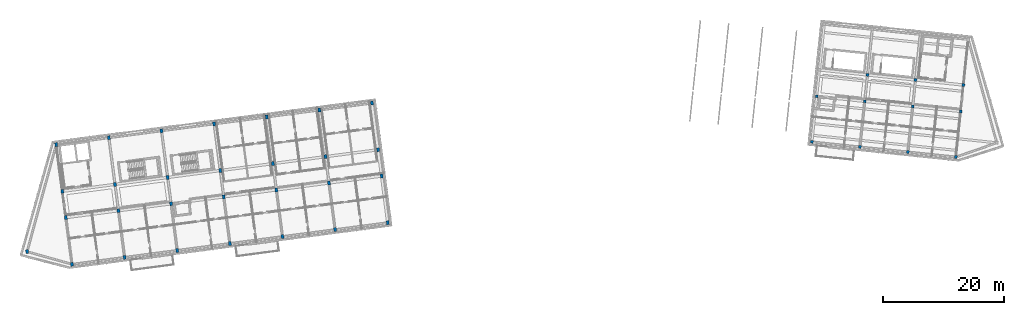
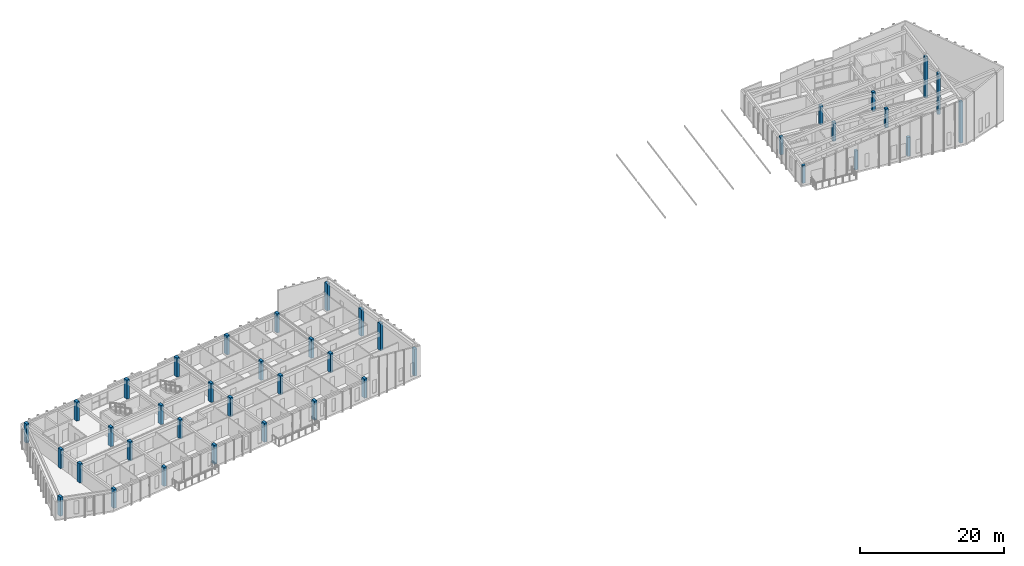
# One storey, part 1 of 31: 40 columns.
"""IFC4 building model written with IfcOpenShell, lengths in metres."""

from ifc_helpers import new_model, si_unit, direction, frame, origin, origin_2d, place, context, subcontext, project, spatial, rectangle, extrude, material, material_profile, profile_set, type_object, element, save


model = new_model("IFC4")

# Units and contexts
model_context = context("Model", 3, precision=1e-05, world=origin(), true_north=direction((0.0, 1.0)))
body_context = subcontext(model_context, "Body", "Model", "MODEL_VIEW")
ifc_project = project(units=[si_unit("LENGTHUNIT", "METRE"), si_unit("AREAUNIT", "SQUARE_METRE"), si_unit("VOLUMEUNIT", "CUBIC_METRE"), si_unit("PLANEANGLEUNIT", "RADIAN"), si_unit("MASSUNIT", "GRAM", prefix="KILO")], contexts=[model_context])

# Site, building, storey
site_placement = place(None, origin())
site = spatial("IfcSite", under=ifc_project, at=site_placement, CompositionType="ELEMENT")
building_placement = place(site_placement, origin())
building = spatial("IfcBuilding", under=site, at=building_placement, Name="Kestramere Prow Commons", CompositionType="ELEMENT")
storey_placement = place(building_placement, frame((0.0, 0.0, 37.64990234375)))
storey = spatial("IfcBuildingStorey", under=building, at=storey_placement, Name="L11", CompositionType="ELEMENT", Elevation=37.64990234375)

# Columns
ifc_material = material(Name="Precast concrete C40/50", Category="concrete")
ifc_material_profile_1 = material_profile(ifc_material, rectangle(XDim=0.449951171875, YDim=0.64990234375, at=origin_2d()), Name="PC-COL 450x650")
ifc_profile_set_1 = profile_set([ifc_material_profile_1], Name="Precast concrete C40/50")
column_type_1 = type_object("IfcColumnType", Name="C-A3 PC-COL 450x650", PredefinedType="COLUMN", material=ifc_profile_set_1)
for number, where, z_axis, x_axis, name in (
    (1, (11.199951171875, 72.0, 0.0), (0.0, 0.0, 1.0), (0.991444861374, 0.13052619222, 0.0), "Block A L11 Column 1-1"),
    (2, (10.181884765625, 79.733154296875, 0.0), (0.0, 0.0, 1.0), (0.991444861374, 0.13052619222, 0.0), "Block A L11 Column 1-2"),
    (3, (9.607666015625, 84.095703125, 0.0), (0.0, 0.0, 1.0), (0.991444861374, 0.13052619222, 0.0), "Block A L11 Column 1-3"),
    (4, (8.58935546875, 91.828857421875, 0.0), (0.0, 0.0, 1.0), (0.991444861374, 0.13052619222, 0.0), "Block A L11 Column 1-4"),
    (5, (19.9248046875, 73.148681640625, 0.0), (0.0, 0.0, 1.0), (0.991444861374, 0.13052619222, 0.0), "Block A L11 Column 2-1"),
    (6, (18.906494140625, 80.8818359375, 0.0), (0.0, 0.0, 1.0), (0.991444861374, 0.13052619222, 0.0), "Block A L11 Column 2-2"),
    (7, (18.332275390625, 85.244140625, 0.0), (0.0, 0.0, 1.0), (0.991444861374, 0.13052619222, 0.0), "Block A L11 Column 2-3"),
    (8, (17.314208984375, 92.9775390625, 0.0), (0.0, 0.0, 1.0), (0.991444861374, 0.13052619222, 0.0), "Block A L11 Column 2-4"),
    (9, (28.6494140625, 74.29736328125, 0.0), (0.0, 0.0, 1.0), (0.991444861374, 0.13052619222, 0.0), "Block A L11 Column 3-1"),
    (10, (27.63134765625, 82.030517578125, 0.0), (0.0, 0.0, 1.0), (0.991444861374, 0.13052619222, 0.0), "Block A L11 Column 3-2"),
    (11, (27.05712890625, 86.392822265625, 0.0), (0.0, 0.0, 1.0), (0.991444861374, 0.13052619222, 0.0), "Block A L11 Column 3-3"),
    (12, (26.038818359375, 94.126220703125, 0.0), (0.0, 0.0, 1.0), (0.991444861374, 0.13052619222, 0.0), "Block A L11 Column 3-4"),
    (13, (37.3740234375, 75.44580078125, 0.0), (0.0, 0.0, 1.0), (0.991444861374, 0.13052619222, 0.0), "Block A L11 Column 4-1"),
    (14, (36.35595703125, 83.17919921875, 0.0), (0.0, 0.0, 1.0), (0.991444861374, 0.13052619222, 0.0), "Block A L11 Column 4-2"),
    (15, (35.78173828125, 87.54150390625, 0.0), (0.0, 0.0, 1.0), (0.991444861374, 0.13052619222, 0.0), "Block A L11 Column 4-3"),
    (16, (34.763671875, 95.27490234375, 0.0), (0.0, 0.0, 1.0), (0.991444861374, 0.13052619222, 0.0), "Block A L11 Column 4-4"),
    (17, (46.098876953125, 76.594482421875, 0.0), (0.0, 0.0, 1.0), (0.991444861374, 0.13052619222, 0.0), "Block A L11 Column 5-1"),
    (18, (45.080810546875, 84.327880859375, 0.0), (0.0, 0.0, 1.0), (0.991444861374, 0.13052619222, 0.0), "Block A L11 Column 5-2"),
    (19, (44.50634765625, 88.690185546875, 0.0), (0.0, 0.0, 1.0), (0.991444861374, 0.13052619222, 0.0), "Block A L11 Column 5-3"),
    (20, (43.48828125, 96.42333984375, 0.0), (0.0, 0.0, 1.0), (0.991444861374, 0.13052619222, 0.0), "Block A L11 Column 5-4"),
    (21, (54.823486328125, 77.7431640625, 0.0), (0.0, 0.0, 1.0), (0.991444861374, 0.13052619222, 0.0), "Block A L11 Column 6-1"),
    (22, (53.805419921875, 85.476318359375, 0.0), (0.0, 0.0, 1.0), (0.991444861374, 0.13052619222, 0.0), "Block A L11 Column 6-2"),
    (23, (53.231201171875, 89.8388671875, 0.0), (0.0, 0.0, 1.0), (0.991444861374, 0.13052619222, 0.0), "Block A L11 Column 6-3"),
    (24, (52.213134765625, 97.572021484375, 0.0), (0.0, 0.0, 1.0), (0.991444861374, 0.13052619222, 0.0), "Block A L11 Column 6-4"),
):
    element("IfcColumn", number, at=place(storey_placement, frame(where, z_axis=z_axis, x_axis=x_axis)), inside=storey, type_object=column_type_1, Name=name, PredefinedType="COLUMN", context=body_context, shape_type="SweptSolid", body=[
        extrude(rectangle(XDim=0.449951171875, YDim=0.64990234375, at=origin_2d()), origin(), (0.0, 0.0, 1.0), 3.25),
    ])
for number, where, z_axis, x_axis, name in (
    (25, (63.54833984375, 78.891845703125, 0.0), (0.0, 0.0, 1.0), (0.991444861374, 0.13052619222, 0.0), "Block A L11 Column 7-1"),
    (26, (62.5302734375, 86.625, 0.0), (0.0, 0.0, 1.0), (0.991444861374, 0.13052619222, 0.0), "Block A L11 Column 7-2"),
    (27, (61.955810546875, 90.9873046875, 0.0), (0.0, 0.0, 1.0), (0.991444861374, 0.13052619222, 0.0), "Block A L11 Column 7-3"),
    (28, (60.937744140625, 98.720703125, 0.0), (0.0, 0.0, 1.0), (0.991444861374, 0.13052619222, 0.0), "Block A L11 Column 7-4"),
):
    element("IfcColumn", number, at=place(storey_placement, frame(where, z_axis=z_axis, x_axis=x_axis)), inside=storey, type_object=column_type_1, Name=name, PredefinedType="COLUMN", context=body_context, shape_type="SweptSolid", body=[
        extrude(rectangle(XDim=0.449951171875, YDim=0.64990234375, at=origin_2d()), origin(), (0.0, 0.0, 1.0), 4.5869140625),
    ])
column_placement = place(storey_placement, frame((3.7626953125, 74.09716796875, 0.0), z_axis=(0.0, 0.0, 1.0), x_axis=(0.991444861374, 0.13052619222, 0.0)))
element("IfcColumn", 29, at=column_placement, inside=storey, type_object=column_type_1, Name="Block A L11 Prow Apex Column", PredefinedType="COLUMN", context=body_context, shape_type="SweptSolid", body=[
    extrude(rectangle(XDim=0.449951171875, YDim=0.64990234375, at=origin_2d()), origin(), (0.0, 0.0, 1.0), 3.25),
])
ifc_material_profile_2 = material_profile(ifc_material, rectangle(XDim=0.449951171875, YDim=0.449951171875, at=origin_2d()), Name="PC-COL 450x450")
ifc_profile_set_2 = profile_set([ifc_material_profile_2], Name="Precast concrete C40/50")
column_type_2 = type_object("IfcColumnType", Name="C-B3 PC-COL 450x450", PredefinedType="COLUMN", material=ifc_profile_set_2)
for number, where, z_axis, x_axis, name in (
    (30, (133.868408203125, 92.291259765625, 0.0), (0.0, 0.0, 1.0), (0.994521895368, -0.104528463268, 0.0), "Block B L11 Column 4-1"),
    (31, (134.662841796875, 99.849609375, 0.0), (0.0, 0.0, 1.0), (0.994521895368, -0.104528463268, 0.0), "Block B L11 Column 4-2"),
):
    element("IfcColumn", number, at=place(storey_placement, frame(where, z_axis=z_axis, x_axis=x_axis)), inside=storey, type_object=column_type_2, Name=name, PredefinedType="COLUMN", context=body_context, shape_type="SweptSolid", body=[
        extrude(rectangle(XDim=0.449951171875, YDim=0.449951171875, at=origin_2d()), origin(), (0.0, 0.0, 1.0), 3.0),
    ])
for number, where, z_axis, x_axis, name in (
    (32, (141.82470703125, 91.455078125, 0.0), (0.0, 0.0, 1.0), (0.994521895368, -0.104528463268, 0.0), "Block B L11 Column 5-1"),
    (33, (142.619140625, 99.013427734375, 0.0), (0.0, 0.0, 1.0), (0.994521895368, -0.104528463268, 0.0), "Block B L11 Column 5-2"),
    (34, (143.0791015625, 103.389404296875, 0.0), (0.0, 0.0, 1.0), (0.994521895368, -0.104528463268, 0.0), "Block B L11 Column 5-3"),
    (35, (149.78076171875, 90.618896484375, 0.0), (0.0, 0.0, 1.0), (0.994521895368, -0.104528463268, 0.0), "Block B L11 Column 6-1"),
    (36, (150.5751953125, 98.17724609375, 0.0), (0.0, 0.0, 1.0), (0.994521895368, -0.104528463268, 0.0), "Block B L11 Column 6-2"),
    (37, (151.03515625, 102.55322265625, 0.0), (0.0, 0.0, 1.0), (0.994521895368, -0.104528463268, 0.0), "Block B L11 Column 6-3"),
):
    element("IfcColumn", number, at=place(storey_placement, frame(where, z_axis=z_axis, x_axis=x_axis)), inside=storey, type_object=column_type_2, Name=name, PredefinedType="COLUMN", context=body_context, shape_type="SweptSolid", body=[
        extrude(rectangle(XDim=0.449951171875, YDim=0.449951171875, at=origin_2d()), origin(), (0.0, 0.0, 1.0), 3.25),
    ])
for number, where, z_axis, x_axis, name in (
    (38, (157.737060546875, 89.78271484375, 0.0), (0.0, 0.0, 1.0), (0.994521895368, -0.104528463268, 0.0), "Block B L11 Column 7-1"),
    (39, (158.531494140625, 97.341064453125, 0.0), (0.0, 0.0, 1.0), (0.994521895368, -0.104528463268, 0.0), "Block B L11 Column 7-2"),
    (40, (158.991455078125, 101.716796875, 0.0), (0.0, 0.0, 1.0), (0.994521895368, -0.104528463268, 0.0), "Block B L11 Column 7-3"),
):
    element("IfcColumn", number, at=place(storey_placement, frame(where, z_axis=z_axis, x_axis=x_axis)), inside=storey, type_object=column_type_2, Name=name, PredefinedType="COLUMN", context=body_context, shape_type="SweptSolid", body=[
        extrude(rectangle(XDim=0.449951171875, YDim=0.449951171875, at=origin_2d()), origin(), (0.0, 0.0, 1.0), 7.023193359375),
    ])

save(model, "model.ifc")
